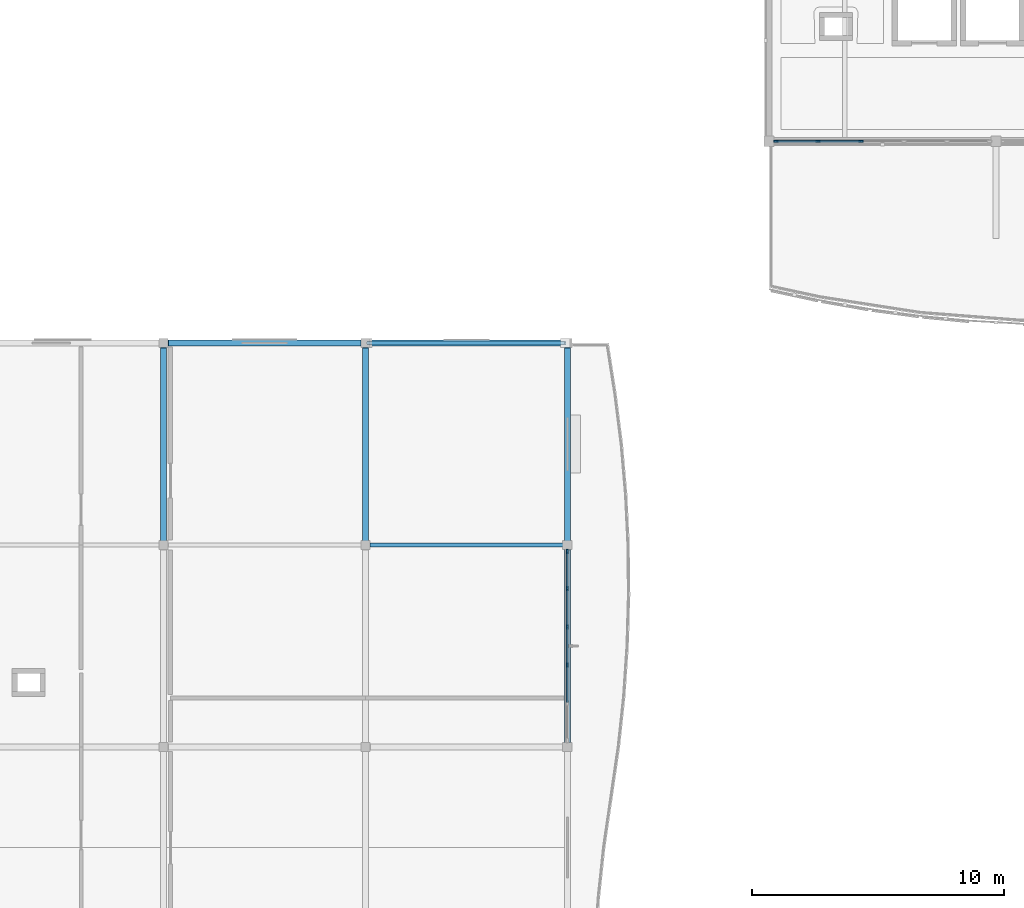
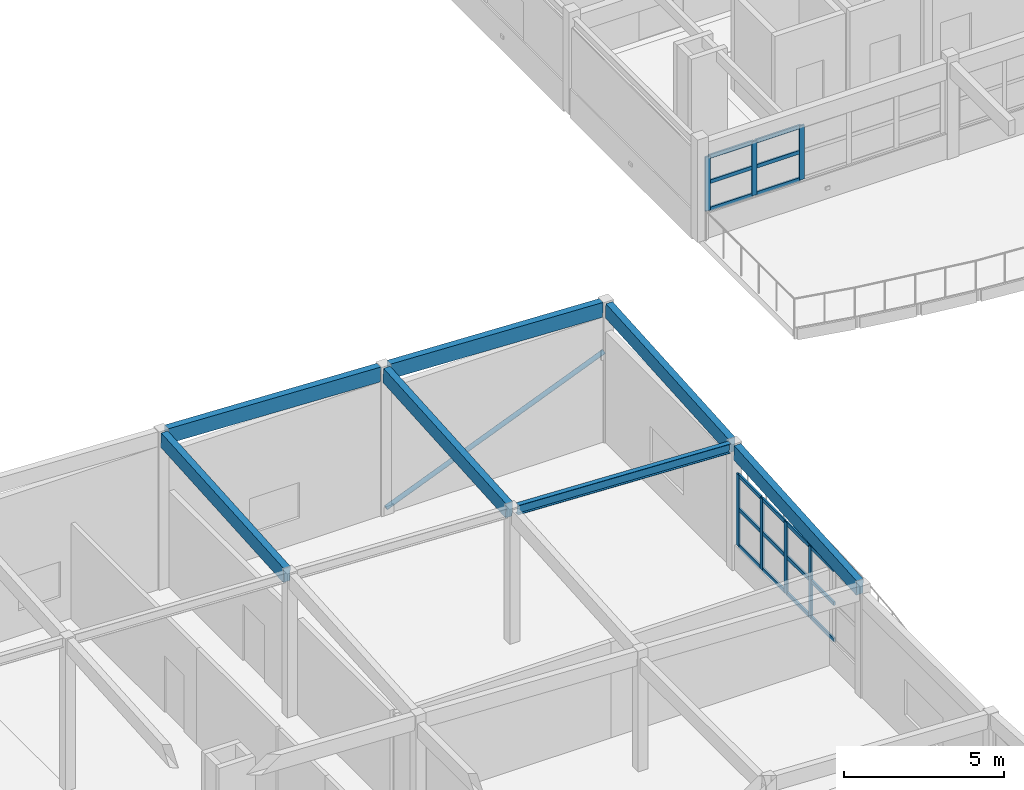
# One storey, part 8 of 52: 26 members, 7 beams, 2 elements without a shape of their own.
"""IFC4 building model written with IfcOpenShell, lengths in metres."""

from ifc_helpers import new_model, si_unit, direction, frame, origin, origin_2d, place, context, subcontext, project, spatial, rectangle, hollow_circle, i_section, extrude, material, layer, layer_set, material_profile, profile_set, type_object, element, aggregate, save


model = new_model("IFC4")

# Units and contexts
model_context = context("Model", 3, precision=1e-05, world=origin(), true_north=direction((0.0, 1.0)))
body_context = subcontext(model_context, "Body", "Model", "MODEL_VIEW")
ifc_project = project(units=[si_unit("LENGTHUNIT", "METRE"), si_unit("AREAUNIT", "SQUARE_METRE"), si_unit("VOLUMEUNIT", "CUBIC_METRE"), si_unit("PLANEANGLEUNIT", "RADIAN"), si_unit("MASSUNIT", "GRAM", prefix="KILO")], contexts=[model_context])

# Site, building, storey
site_placement = place(None, origin())
site = spatial("IfcSite", under=ifc_project, at=site_placement, CompositionType="ELEMENT")
building_placement = place(site_placement, origin())
building = spatial("IfcBuilding", under=site, at=building_placement, Name="Tonlespit Floodbar School", CompositionType="ELEMENT")
storey_placement = place(building_placement, frame((0.0, 0.0, 12.300048828125)))
storey = spatial("IfcBuildingStorey", under=building, at=storey_placement, Name="L03", CompositionType="ELEMENT", Elevation=12.300048828125)

# Beams
ifc_material_1 = material(Name="Glulam GL28h", Category="wood")
ifc_material_profile_1 = material_profile(ifc_material_1, rectangle(XDim=0.239990234375, YDim=0.56005859375, at=origin_2d()), Name="GL 240x560")
ifc_profile_set_1 = profile_set([ifc_material_profile_1], Name="Glulam GL28h")
beam_type_1 = type_object("IfcBeamType", Name="Beam_GL_240x560", PredefinedType="BEAM", material=ifc_profile_set_1)
for number, where, z_axis, x_axis, name in (
    (1, (20.179931640625, 96.0, 5.70849609375), (0.999091305073, 0.0, -0.042621169945), (0.0, 1.0, 0.0), "L03 girder 1165"),
    (2, (28.179931640625, 96.0, 5.367431640625), (0.999091305073, 0.0, -0.042621169945), (0.0, 1.0, 0.0), "L03 girder 1166"),
):
    element("IfcBeam", number, at=place(storey_placement, frame(where, z_axis=z_axis, x_axis=x_axis)), inside=storey, type_object=beam_type_1, Name=name, PredefinedType="BEAM", context=body_context, shape_type="SweptSolid", body=[
        extrude(rectangle(XDim=0.239990234375, YDim=0.56005859375, at=origin_2d()), origin(), (0.0, 0.0, 1.0), 7.64697265625),
    ])
for number, where, z_axis, x_axis, name in (
    (3, (20.0, 88.179931640625, 5.179443359375), (0.0, 0.997652610719, 0.068478232499), (-1.0, 0.0, 0.0), "L03 girder 1212"),
    (4, (28.0, 88.179931640625, 4.83837890625), (0.0, 0.99765478818, 0.068446501892), (-1.0, 0.0, 0.0), "L03 girder 1216"),
    (5, (36.0, 80.179931640625, 3.9482421875), (0.0, 0.99765478818, 0.068446501892), (-1.0, 0.0, 0.0), "L03 girder 1220"),
    (6, (36.0, 88.179931640625, 4.4970703125), (0.0, 0.997652610719, 0.068478232499), (-1.0, 0.0, 0.0), "L03 girder 1221"),
):
    element("IfcBeam", number, at=place(storey_placement, frame(where, z_axis=z_axis, x_axis=x_axis)), inside=storey, type_object=beam_type_1, Name=name, PredefinedType="BEAM", context=body_context, shape_type="SweptSolid", body=[
        extrude(rectangle(XDim=0.239990234375, YDim=0.56005859375, at=origin_2d()), origin(), (0.0, 0.0, 1.0), 7.658203125),
    ])

# Member
ifc_material_2 = material(Name="Steel S355", Category="steel")
ifc_material_profile_2 = material_profile(ifc_material_2, hollow_circle(Radius=0.084228515625, WallThickness=0.008056640625, at=origin_2d()), Name="CHS 168.3x8")
ifc_profile_set_2 = profile_set([ifc_material_profile_2], Name="Steel S355")
member_type_1 = type_object("IfcMemberType", Name="Brace_STL_CHS168", PredefinedType="BRACE", material=ifc_profile_set_2)
member_1_placement = place(storey_placement, frame((28.080078125, 96.0, 0.14990234375), z_axis=(0.92584702609, 0.0, 0.377898510556), x_axis=(0.0, 1.0, 0.0)))
element("IfcMember", 7, at=member_1_placement, inside=storey, type_object=member_type_1, Name="L03 exposed deconstructivist lateral brace 2", PredefinedType="BRACE", context=body_context, shape_type="SweptSolid", body=[
    extrude(hollow_circle(Radius=0.084228515625, WallThickness=0.008056640625, at=origin_2d()), origin(), (0.0, 0.0, 1.0), 8.4677734375),
])

# Curtain wall, members
ifc_material_3 = material(Name="Anodised Aluminium", Category="aluminium")
ifc_layer_1 = layer(ifc_material_3, 0.159912109375)
ifc_layer_set_1 = layer_set([ifc_layer_1], Name="Anodised Aluminium")
curtain_wall_type_1 = type_object("IfcCurtainWallType", Name="CurtainWall_8500x2050", PredefinedType="NOTDEFINED", material=ifc_layer_set_1)
curtain_wall_1_placement = place(storey_placement, origin())
curtain_wall_1 = element("IfcCurtainWall", 8, at=curtain_wall_1_placement, inside=storey, type_object=curtain_wall_type_1, Name="L03 unitised curtain wall 0165", PredefinedType="NOTDEFINED")
ifc_material_profile_3 = material_profile(ifc_material_3, rectangle(XDim=0.06494140625, YDim=0.179931640625, at=origin_2d()), Name="ALU M65x180")
ifc_profile_set_3 = profile_set([ifc_material_profile_3], Name="Anodised Aluminium")
member_type_2 = type_object("IfcMemberType", Name="CW_Mullion_65x180", PredefinedType="MULLION", material=ifc_profile_set_3)
member_2_placement = place(storey_placement, frame((47.64794921875, 104.0, 0.949951171875), z_axis=(0.0, 0.0, 1.0), x_axis=(0.0, -1.0, 0.0)))
member_2 = element("IfcMember", 9, at=member_2_placement, type_object=member_type_2, Name="CW-07 mullion 4", PredefinedType="MULLION", context=body_context, shape_type="SweptSolid", body=[
    extrude(rectangle(XDim=0.06494140625, YDim=0.179931640625, at=origin_2d()), origin(), (0.0, 0.0, 1.0), 2.05810546875),
])
member_3_placement = place(storey_placement, frame((45.944091796875, 104.0, 0.949951171875), z_axis=(0.0, 0.0, 1.0), x_axis=(0.0, -1.0, 0.0)))
member_3 = element("IfcMember", 10, at=member_3_placement, type_object=member_type_2, Name="CW-07 mullion 5", PredefinedType="MULLION", context=body_context, shape_type="SweptSolid", body=[
    extrude(rectangle(XDim=0.06494140625, YDim=0.179931640625, at=origin_2d()), origin(), (0.0, 0.0, 1.0), 2.05810546875),
])
member_4_placement = place(storey_placement, frame((44.2724609375, 104.0, 0.949951171875), z_axis=(0.0, 0.0, 1.0), x_axis=(0.0, -1.0, 0.0)))
member_4 = element("IfcMember", 11, at=member_4_placement, type_object=member_type_2, Name="CW-07 mullion 6", PredefinedType="MULLION", context=body_context, shape_type="SweptSolid", body=[
    extrude(rectangle(XDim=0.06494140625, YDim=0.179931640625, at=origin_2d()), origin(), (0.0, 0.0, 1.0), 2.05810546875),
])

ifc_layer_2 = layer(ifc_material_3, 0.159912109375)
ifc_layer_set_2 = layer_set([ifc_layer_2], Name="Anodised Aluminium")
curtain_wall_type_2 = type_object("IfcCurtainWallType", Name="CurtainWall_7550x2700", PredefinedType="NOTDEFINED", material=ifc_layer_set_2)
curtain_wall_2_placement = place(storey_placement, origin())
curtain_wall_2 = element("IfcCurtainWall", 12, at=curtain_wall_2_placement, inside=storey, type_object=curtain_wall_type_2, Name="L03 unitised curtain wall 0309", PredefinedType="NOTDEFINED")
member_5_placement = place(storey_placement, frame((36.0, 87.74755859375, 0.949951171875), z_axis=(0.0, 0.0, 1.0), x_axis=(1.0, 0.0, 0.0)))
member_5 = element("IfcMember", 13, at=member_5_placement, type_object=member_type_2, Name="CW-48 mullion 1", PredefinedType="MULLION", context=body_context, shape_type="SweptSolid", body=[
    extrude(rectangle(XDim=0.06494140625, YDim=0.179931640625, at=origin_2d()), origin(), (0.0, 0.0, 1.0), 2.71826171875),
])
member_6_placement = place(storey_placement, frame((36.0, 86.26806640625, 0.949951171875), z_axis=(0.0, 0.0, 1.0), x_axis=(1.0, 0.0, 0.0)))
member_6 = element("IfcMember", 14, at=member_6_placement, type_object=member_type_2, Name="CW-48 mullion 2", PredefinedType="MULLION", context=body_context, shape_type="SweptSolid", body=[
    extrude(rectangle(XDim=0.06494140625, YDim=0.179931640625, at=origin_2d()), origin(), (0.0, 0.0, 1.0), 2.71826171875),
])
member_7_placement = place(storey_placement, frame((36.0, 84.756103515625, 0.949951171875), z_axis=(0.0, 0.0, 1.0), x_axis=(1.0, 0.0, 0.0)))
member_7 = element("IfcMember", 15, at=member_7_placement, type_object=member_type_2, Name="CW-48 mullion 3", PredefinedType="MULLION", context=body_context, shape_type="SweptSolid", body=[
    extrude(rectangle(XDim=0.06494140625, YDim=0.179931640625, at=origin_2d()), origin(), (0.0, 0.0, 1.0), 2.71826171875),
])
member_8_placement = place(storey_placement, frame((36.0, 83.243896484375, 0.949951171875), z_axis=(0.0, 0.0, 1.0), x_axis=(1.0, 0.0, 0.0)))
member_8 = element("IfcMember", 16, at=member_8_placement, type_object=member_type_2, Name="CW-48 mullion 4", PredefinedType="MULLION", context=body_context, shape_type="SweptSolid", body=[
    extrude(rectangle(XDim=0.06494140625, YDim=0.179931640625, at=origin_2d()), origin(), (0.0, 0.0, 1.0), 2.71826171875),
])

# Member
ifc_material_profile_4 = material_profile(ifc_material_3, rectangle(XDim=0.06494140625, YDim=0.139892578125, at=origin_2d()), Name="ALU T65x140")
ifc_profile_set_4 = profile_set([ifc_material_profile_4], Name="Anodised Aluminium")
member_type_3 = type_object("IfcMemberType", Name="CW_Transom_65x140", PredefinedType="USERDEFINED", material=ifc_profile_set_4)
member_9_placement = place(storey_placement, frame((47.615478515625, 104.0, 0.982421875), z_axis=(-1.0, 0.0, 0.0), x_axis=(0.0, -1.0, 0.0)))
member_9 = element("IfcMember", 17, at=member_9_placement, type_object=member_type_3, Name="CW-07 transom 4.1", ObjectType="TRANSOM", PredefinedType="USERDEFINED", context=body_context, shape_type="SweptSolid", body=[
    extrude(rectangle(XDim=0.06494140625, YDim=0.139892578125, at=origin_2d()), origin(), (0.0, 0.0, 1.0), 1.638916015625),
])

member_10_placement = place(storey_placement, frame((47.615478515625, 104.0, 2.020263671875), z_axis=(-1.0, 0.0, 0.0), x_axis=(0.0, -1.0, 0.0)))
member_10 = element("IfcMember", 18, at=member_10_placement, type_object=member_type_3, Name="CW-07 transom 4.2", ObjectType="TRANSOM", PredefinedType="USERDEFINED", context=body_context, shape_type="SweptSolid", body=[
    extrude(rectangle(XDim=0.06494140625, YDim=0.139892578125, at=origin_2d()), origin(), (0.0, 0.0, 1.0), 1.638916015625),
])

member_11_placement = place(storey_placement, frame((47.615478515625, 104.0, 2.975341796875), z_axis=(-1.0, 0.0, 0.0), x_axis=(0.0, -1.0, 0.0)))
member_11 = element("IfcMember", 19, at=member_11_placement, type_object=member_type_3, Name="CW-07 transom 4.3", ObjectType="TRANSOM", PredefinedType="USERDEFINED", context=body_context, shape_type="SweptSolid", body=[
    extrude(rectangle(XDim=0.06494140625, YDim=0.139892578125, at=origin_2d()), origin(), (0.0, 0.0, 1.0), 1.638916015625),
])

member_12_placement = place(storey_placement, frame((45.91162109375, 104.0, 0.982421875), z_axis=(-1.0, 0.0, 0.0), x_axis=(0.0, -1.0, 0.0)))
member_12 = element("IfcMember", 20, at=member_12_placement, type_object=member_type_3, Name="CW-07 transom 5.1", ObjectType="TRANSOM", PredefinedType="USERDEFINED", context=body_context, shape_type="SweptSolid", body=[
    extrude(rectangle(XDim=0.06494140625, YDim=0.139892578125, at=origin_2d()), origin(), (0.0, 0.0, 1.0), 1.606689453125),
])

member_13_placement = place(storey_placement, frame((45.91162109375, 104.0, 2.020263671875), z_axis=(-1.0, 0.0, 0.0), x_axis=(0.0, -1.0, 0.0)))
member_13 = element("IfcMember", 21, at=member_13_placement, type_object=member_type_3, Name="CW-07 transom 5.2", ObjectType="TRANSOM", PredefinedType="USERDEFINED", context=body_context, shape_type="SweptSolid", body=[
    extrude(rectangle(XDim=0.06494140625, YDim=0.139892578125, at=origin_2d()), origin(), (0.0, 0.0, 1.0), 1.606689453125),
])

member_14_placement = place(storey_placement, frame((45.91162109375, 104.0, 2.975341796875), z_axis=(-1.0, 0.0, 0.0), x_axis=(0.0, -1.0, 0.0)))
member_14 = element("IfcMember", 22, at=member_14_placement, type_object=member_type_3, Name="CW-07 transom 5.3", ObjectType="TRANSOM", PredefinedType="USERDEFINED", context=body_context, shape_type="SweptSolid", body=[
    extrude(rectangle(XDim=0.06494140625, YDim=0.139892578125, at=origin_2d()), origin(), (0.0, 0.0, 1.0), 1.606689453125),
])

aggregate(curtain_wall_1, [member_2, member_3, member_4, member_9, member_10, member_11, member_12, member_13, member_14])

member_15_placement = place(storey_placement, frame((36.0, 87.715087890625, 0.982421875), z_axis=(0.0, -1.0, 0.0), x_axis=(1.0, 0.0, 0.0)))
member_15 = element("IfcMember", 23, at=member_15_placement, type_object=member_type_3, Name="CW-48 transom 1.1", ObjectType="TRANSOM", PredefinedType="USERDEFINED", context=body_context, shape_type="SweptSolid", body=[
    extrude(rectangle(XDim=0.06494140625, YDim=0.139892578125, at=origin_2d()), origin(), (0.0, 0.0, 1.0), 1.41455078125),
])

member_16_placement = place(storey_placement, frame((36.0, 87.715087890625, 2.363525390625), z_axis=(0.0, -1.0, 0.0), x_axis=(1.0, 0.0, 0.0)))
member_16 = element("IfcMember", 24, at=member_16_placement, type_object=member_type_3, Name="CW-48 transom 1.2", ObjectType="TRANSOM", PredefinedType="USERDEFINED", context=body_context, shape_type="SweptSolid", body=[
    extrude(rectangle(XDim=0.06494140625, YDim=0.139892578125, at=origin_2d()), origin(), (0.0, 0.0, 1.0), 1.41455078125),
])

member_17_placement = place(storey_placement, frame((36.0, 87.715087890625, 3.6357421875), z_axis=(0.0, -1.0, 0.0), x_axis=(1.0, 0.0, 0.0)))
member_17 = element("IfcMember", 25, at=member_17_placement, type_object=member_type_3, Name="CW-48 transom 1.3", ObjectType="TRANSOM", PredefinedType="USERDEFINED", context=body_context, shape_type="SweptSolid", body=[
    extrude(rectangle(XDim=0.06494140625, YDim=0.139892578125, at=origin_2d()), origin(), (0.0, 0.0, 1.0), 1.41455078125),
])

member_18_placement = place(storey_placement, frame((36.0, 86.235595703125, 0.982421875), z_axis=(0.0, -1.0, 0.0), x_axis=(1.0, 0.0, 0.0)))
member_18 = element("IfcMember", 26, at=member_18_placement, type_object=member_type_3, Name="CW-48 transom 2.1", ObjectType="TRANSOM", PredefinedType="USERDEFINED", context=body_context, shape_type="SweptSolid", body=[
    extrude(rectangle(XDim=0.06494140625, YDim=0.139892578125, at=origin_2d()), origin(), (0.0, 0.0, 1.0), 1.447021484375),
])

member_19_placement = place(storey_placement, frame((36.0, 86.235595703125, 2.363525390625), z_axis=(0.0, -1.0, 0.0), x_axis=(1.0, 0.0, 0.0)))
member_19 = element("IfcMember", 27, at=member_19_placement, type_object=member_type_3, Name="CW-48 transom 2.2", ObjectType="TRANSOM", PredefinedType="USERDEFINED", context=body_context, shape_type="SweptSolid", body=[
    extrude(rectangle(XDim=0.06494140625, YDim=0.139892578125, at=origin_2d()), origin(), (0.0, 0.0, 1.0), 1.447021484375),
])

member_20_placement = place(storey_placement, frame((36.0, 86.235595703125, 3.6357421875), z_axis=(0.0, -1.0, 0.0), x_axis=(1.0, 0.0, 0.0)))
member_20 = element("IfcMember", 28, at=member_20_placement, type_object=member_type_3, Name="CW-48 transom 2.3", ObjectType="TRANSOM", PredefinedType="USERDEFINED", context=body_context, shape_type="SweptSolid", body=[
    extrude(rectangle(XDim=0.06494140625, YDim=0.139892578125, at=origin_2d()), origin(), (0.0, 0.0, 1.0), 1.447021484375),
])

member_21_placement = place(storey_placement, frame((36.0, 84.723388671875, 0.982421875), z_axis=(0.0, -1.0, 0.0), x_axis=(1.0, 0.0, 0.0)))
member_21 = element("IfcMember", 29, at=member_21_placement, type_object=member_type_3, Name="CW-48 transom 3.1", ObjectType="TRANSOM", PredefinedType="USERDEFINED", context=body_context, shape_type="SweptSolid", body=[
    extrude(rectangle(XDim=0.06494140625, YDim=0.139892578125, at=origin_2d()), origin(), (0.0, 0.0, 1.0), 1.44677734375),
])

member_22_placement = place(storey_placement, frame((36.0, 84.723388671875, 2.363525390625), z_axis=(0.0, -1.0, 0.0), x_axis=(1.0, 0.0, 0.0)))
member_22 = element("IfcMember", 30, at=member_22_placement, type_object=member_type_3, Name="CW-48 transom 3.2", ObjectType="TRANSOM", PredefinedType="USERDEFINED", context=body_context, shape_type="SweptSolid", body=[
    extrude(rectangle(XDim=0.06494140625, YDim=0.139892578125, at=origin_2d()), origin(), (0.0, 0.0, 1.0), 1.44677734375),
])

member_23_placement = place(storey_placement, frame((36.0, 84.723388671875, 3.6357421875), z_axis=(0.0, -1.0, 0.0), x_axis=(1.0, 0.0, 0.0)))
member_23 = element("IfcMember", 31, at=member_23_placement, type_object=member_type_3, Name="CW-48 transom 3.3", ObjectType="TRANSOM", PredefinedType="USERDEFINED", context=body_context, shape_type="SweptSolid", body=[
    extrude(rectangle(XDim=0.06494140625, YDim=0.139892578125, at=origin_2d()), origin(), (0.0, 0.0, 1.0), 1.44677734375),
])

member_24_placement = place(storey_placement, frame((36.0, 83.21142578125, 0.982421875), z_axis=(0.0, -1.0, 0.0), x_axis=(1.0, 0.0, 0.0)))
member_24 = element("IfcMember", 32, at=member_24_placement, type_object=member_type_3, Name="CW-48 transom 4.1", ObjectType="TRANSOM", PredefinedType="USERDEFINED", context=body_context, shape_type="SweptSolid", body=[
    extrude(rectangle(XDim=0.06494140625, YDim=0.139892578125, at=origin_2d()), origin(), (0.0, 0.0, 1.0), 1.447021484375),
])

member_25_placement = place(storey_placement, frame((36.0, 83.21142578125, 2.363525390625), z_axis=(0.0, -1.0, 0.0), x_axis=(1.0, 0.0, 0.0)))
member_25 = element("IfcMember", 33, at=member_25_placement, type_object=member_type_3, Name="CW-48 transom 4.2", ObjectType="TRANSOM", PredefinedType="USERDEFINED", context=body_context, shape_type="SweptSolid", body=[
    extrude(rectangle(XDim=0.06494140625, YDim=0.139892578125, at=origin_2d()), origin(), (0.0, 0.0, 1.0), 1.447021484375),
])

member_26_placement = place(storey_placement, frame((36.0, 83.21142578125, 3.6357421875), z_axis=(0.0, -1.0, 0.0), x_axis=(1.0, 0.0, 0.0)))
member_26 = element("IfcMember", 34, at=member_26_placement, type_object=member_type_3, Name="CW-48 transom 4.3", ObjectType="TRANSOM", PredefinedType="USERDEFINED", context=body_context, shape_type="SweptSolid", body=[
    extrude(rectangle(XDim=0.06494140625, YDim=0.139892578125, at=origin_2d()), origin(), (0.0, 0.0, 1.0), 1.447021484375),
])

aggregate(curtain_wall_2, [member_5, member_6, member_7, member_8, member_15, member_16, member_17, member_18, member_19, member_20, member_21, member_22, member_23, member_24, member_25, member_26])

# Beam
ifc_material_profile_5 = material_profile(ifc_material_2, i_section(OverallWidth=0.169921875, OverallDepth=0.360107421875, WebThickness=0.008056640625, FlangeThickness=0.0126953125, at=origin_2d()), Name="IPE 360")
ifc_profile_set_5 = profile_set([ifc_material_profile_5], Name="Steel S355")
beam_type_2 = type_object("IfcBeamType", Name="Spandrel_STL_IPE360", PredefinedType="SPANDREL", material=ifc_profile_set_5)
beam_placement = place(storey_placement, frame((28.179931640625, 88.0, 4.918212890625), z_axis=(0.999092664052, 0.0, -0.042589301906), x_axis=(0.0, 1.0, 0.0)))
element("IfcBeam", 35, at=beam_placement, inside=storey, type_object=beam_type_2, Name="L03 girder 1162", PredefinedType="SPANDREL", context=body_context, shape_type="SweptSolid", body=[
    extrude(i_section(OverallWidth=0.169921875, OverallDepth=0.360107421875, WebThickness=0.008056640625, FlangeThickness=0.0126953125, at=origin_2d()), origin(), (0.0, 0.0, 1.0), 7.64697265625),
])

save(model, "model.ifc")
